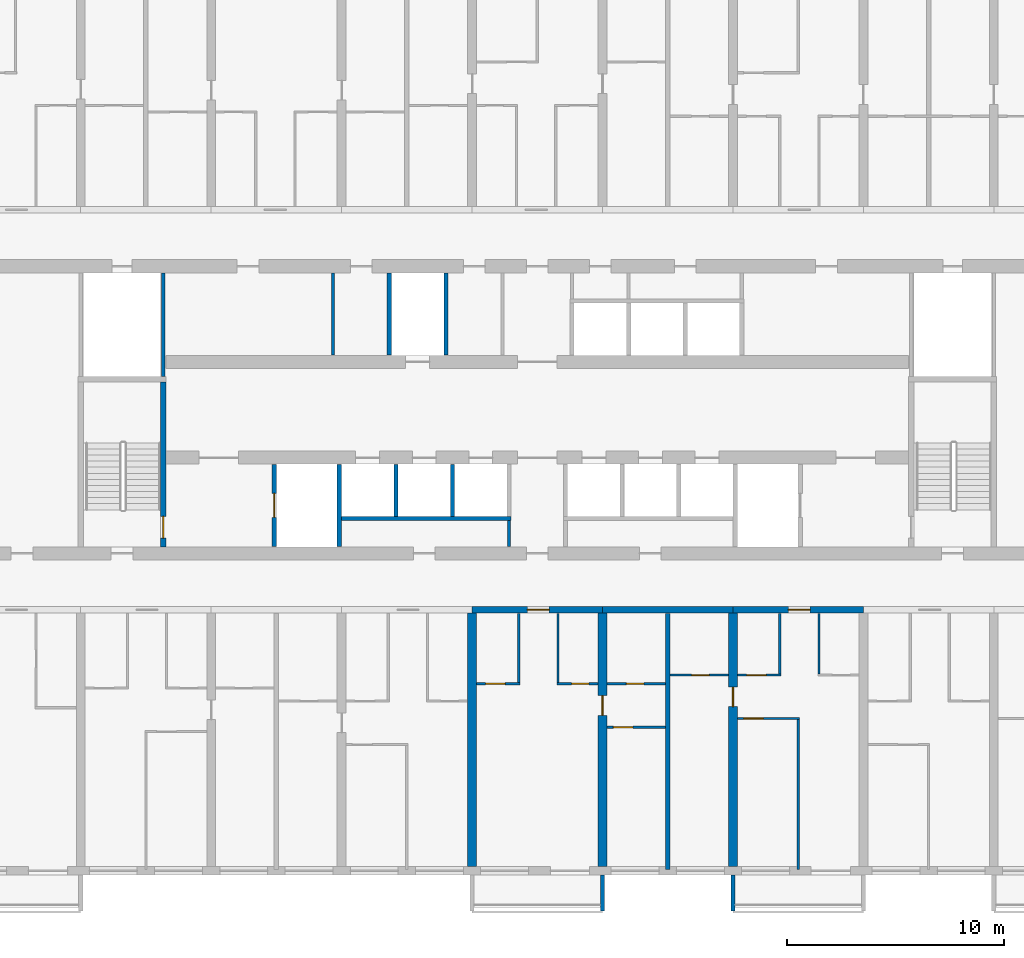
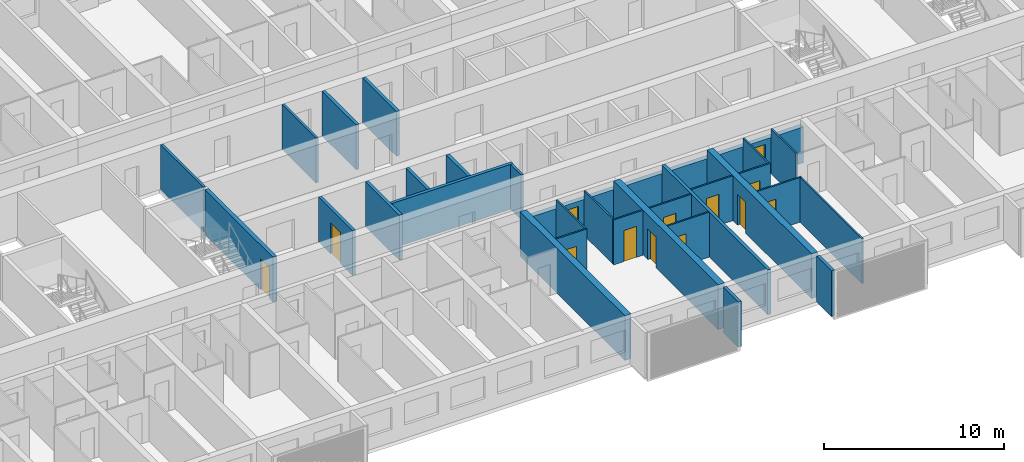
# One storey, part 6 of 40: 32 walls, 13 doors, 13 openings.
"""IFC4 building model written with IfcOpenShell, lengths in metres."""

from ifc_helpers import new_model, si_unit, direction, frame, frame_2d, origin, place, context, subcontext, project, spatial, polyline, rectangle, outline, extrude, source, transform, mapped, material, layer, layer_set, type_object, element, fill, save


model = new_model("IFC4")

# Units and contexts
model_context = context("Model", 3, precision=1e-05, world=origin(), true_north=direction((0.0, 1.0)))
body_context = subcontext(model_context, "Body", "Model", "MODEL_VIEW")
ifc_project = project(units=[si_unit("LENGTHUNIT", "METRE"), si_unit("AREAUNIT", "SQUARE_METRE"), si_unit("VOLUMEUNIT", "CUBIC_METRE"), si_unit("PLANEANGLEUNIT", "RADIAN"), si_unit("MASSUNIT", "GRAM", prefix="KILO")], contexts=[model_context])

# Site, building, storey
site_placement = place(None, origin())
site = spatial("IfcSite", under=ifc_project, at=site_placement, CompositionType="ELEMENT")
building_placement = place(site_placement, origin())
building = spatial("IfcBuilding", under=site, at=building_placement, Name="Poui Terraces", CompositionType="ELEMENT")
storey_placement = place(building_placement, frame((0.0, 0.0, 36.60009765625)))
storey = spatial("IfcBuildingStorey", under=building, at=storey_placement, Name="L09", CompositionType="ELEMENT", Elevation=36.60009765625)

# Wall
ifc_material_1 = material(Name="Fire-rated plasterboard wall")
ifc_layer_1 = layer(ifc_material_1, 0.14990234375)
ifc_layer_set_1 = layer_set([ifc_layer_1], Name="Fire-rated plasterboard wall")
wall_type_1 = type_object("IfcWallType", Name="CORRIDOR WALL 150", PredefinedType="PARTITIONING", material=ifc_layer_set_1)
wall_1_placement = place(storey_placement, frame((49.699951171875, 14.909912109375, 0.0), z_axis=(0.0, 0.0, 1.0), x_axis=(0.0, 1.0, 0.0)))
element("IfcWall", 1, at=wall_1_placement, inside=storey, type_object=wall_type_1, Name="CORRIDOR WALL 150", PredefinedType="PARTITIONING", context=body_context, shape_type="SweptSolid", body=[
    extrude(rectangle(XDim=1.190185546875, YDim=0.14990234375, at=frame_2d((0.59521484375, 0.0))), origin(), (0.0, 0.0, 1.0), 3.0498046875),
])

# Wall, opening, door
ifc_material_2 = material(Name="Concrete 80 MPa", Category="concrete")
ifc_layer_2 = layer(ifc_material_2, 0.300048828125)
ifc_layer_set_2 = layer_set([ifc_layer_2], Name="Concrete 80 MPa")
wall_type_2 = type_object("IfcWallType", Name="CORRIDOR WALL 300 80MPa", PredefinedType="SHEAR", material=ifc_layer_set_2)
wall_2_placement = place(storey_placement, frame((48.0, 12.0, 0.0), z_axis=(0.0, 0.0, 1.0), x_axis=(1.0, 0.0, 0.0)))
wall_2 = element("IfcWall", 2, at=wall_2_placement, inside=storey, type_object=wall_type_2, Name="CORRIDOR WALL LINE B BAY 9", PredefinedType="SHEAR", context=body_context, shape_type="SweptSolid", body=[
    extrude(rectangle(XDim=6.0, YDim=0.300048828125, at=frame_2d((3.0, 0.0))), origin(), (0.0, 0.0, 1.0), 2.449951171875),
])
opening_1_placement = place(wall_2_placement, frame((2.550048828125, 0.0, 0.0)))
opening_1 = element("IfcOpeningElement", 3, at=opening_1_placement, cuts=wall_2, Name="Opening FD30S", PredefinedType="OPENING", context=body_context, shape_type="SweptSolid", body=[
    extrude(rectangle(XDim=1.0, YDim=2.10009765625, at=frame_2d((0.5, 1.050048828125))), frame((0.0, 0.16015625, 0.0), z_axis=(0.0, -1.0, 0.0), x_axis=(1.0, 0.0, 0.0)), (0.0, 0.0, 1.0), 0.320068359375),
])
ifc_material_3 = material(Name="Steel fire door", Category="steel")
door_type_1 = type_object("IfcDoorType", Name="FLAT ENTRANCE DOOR 1000 X 2100", OperationType="NOTDEFINED", PredefinedType="DOOR", material=ifc_material_3)
door_1_placement = place(opening_1_placement, frame((1.0, 0.0, 0.0), z_axis=(0.0, 0.0, 1.0), x_axis=(-1.0, 0.0, 0.0)))
door_1 = element("IfcDoor", 4, at=door_1_placement, inside=storey, type_object=door_type_1, Name="FLAT ENTRANCE DOOR 121", OperationType="SINGLE_SWING_LEFT", OverallHeight=2.10009765625, OverallWidth=1.0, PredefinedType="DOOR", context=body_context, shape_type="SweptSolid", body=[
    extrude(rectangle(XDim=1.0, YDim=2.10009765625, at=frame_2d((0.5, 1.050048828125))), frame((0.0, 0.02490234375, 0.0), z_axis=(0.0, -1.0, 0.0), x_axis=(1.0, 0.0, 0.0)), (0.0, 0.0, 1.0), 0.050048828125),
])
fill(opening_1, door_1)

# Wall
wall_3_placement = place(storey_placement, frame((54.0, 12.0, 0.0), z_axis=(0.0, 0.0, 1.0), x_axis=(1.0, 0.0, 0.0)))
element("IfcWall", 5, at=wall_3_placement, inside=storey, type_object=wall_type_2, Name="CORRIDOR WALL LINE B BAY 10", PredefinedType="SHEAR", context=body_context, shape_type="SweptSolid", body=[
    extrude(rectangle(XDim=6.0, YDim=0.300048828125, at=frame_2d((3.0, 0.0))), origin(), (0.0, 0.0, 1.0), 2.449951171875),
])

# Wall, opening, door
wall_4_placement = place(storey_placement, frame((60.0, 12.0, 0.0), z_axis=(0.0, 0.0, 1.0), x_axis=(1.0, 0.0, 0.0)))
wall_4 = element("IfcWall", 6, at=wall_4_placement, inside=storey, type_object=wall_type_2, Name="CORRIDOR WALL LINE B BAY 11", PredefinedType="SHEAR", context=body_context, shape_type="SweptSolid", body=[
    extrude(rectangle(XDim=6.0, YDim=0.300048828125, at=frame_2d((3.0, 0.0))), origin(), (0.0, 0.0, 1.0), 2.449951171875),
])
opening_2_placement = place(wall_4_placement, frame((2.550048828125, 0.0, 0.0)))
opening_2 = element("IfcOpeningElement", 7, at=opening_2_placement, cuts=wall_4, Name="Opening FD30S", PredefinedType="OPENING", context=body_context, shape_type="SweptSolid", body=[
    extrude(rectangle(XDim=1.0, YDim=2.10009765625, at=frame_2d((0.5, 1.050048828125))), frame((0.0, 0.16015625, 0.0), z_axis=(0.0, -1.0, 0.0), x_axis=(1.0, 0.0, 0.0)), (0.0, 0.0, 1.0), 0.320068359375),
])
door_2_placement = place(opening_2_placement, frame((1.0, 0.0, 0.0), z_axis=(0.0, 0.0, 1.0), x_axis=(-1.0, 0.0, 0.0)))
door_2 = element("IfcDoor", 8, at=door_2_placement, inside=storey, type_object=door_type_1, Name="FLAT ENTRANCE DOOR 128", OperationType="SINGLE_SWING_LEFT", OverallHeight=2.10009765625, OverallWidth=1.0, PredefinedType="DOOR", context=body_context, shape_type="SweptSolid", body=[
    extrude(rectangle(XDim=1.0, YDim=2.10009765625, at=frame_2d((0.5, 1.050048828125))), frame((0.0, 0.02490234375, 0.0), z_axis=(0.0, -1.0, 0.0), x_axis=(1.0, 0.0, 0.0)), (0.0, 0.0, 1.0), 0.050048828125),
])
fill(opening_2, door_2)

# Wall
ifc_layer_3 = layer(ifc_material_2, 0.39990234375)
ifc_layer_set_3 = layer_set([ifc_layer_3], Name="Concrete 80 MPa")
wall_type_3 = type_object("IfcWallType", Name="CROSS WALL 400 80MPa", PredefinedType="SHEAR", material=ifc_layer_set_3)
wall_5_placement = place(storey_placement, frame((48.0, 0.199951171875, 0.0), z_axis=(0.0, 0.0, 1.0), x_axis=(0.0, 1.0, 0.0)))
element("IfcWall", 9, at=wall_5_placement, inside=storey, type_object=wall_type_3, Name="CROSS WALL LINE 9 SOUTH", PredefinedType="SHEAR", context=body_context, shape_type="SweptSolid", body=[
    extrude(rectangle(XDim=11.650146484375, YDim=0.39990234375, at=frame_2d((5.8251953125, 0.0))), origin(), (0.0, 0.0, 1.0), 3.0498046875),
])

# Wall, opening, door
wall_6_placement = place(storey_placement, frame((54.0, 0.199951171875, 0.0), z_axis=(0.0, 0.0, 1.0), x_axis=(0.0, 1.0, 0.0)))
wall_6 = element("IfcWall", 10, at=wall_6_placement, inside=storey, type_object=wall_type_3, Name="CROSS WALL LINE 10 SOUTH", PredefinedType="SHEAR", context=body_context, shape_type="SweptSolid", body=[
    extrude(rectangle(XDim=11.650146484375, YDim=0.39990234375, at=frame_2d((5.8251953125, 0.0))), origin(), (0.0, 0.0, 1.0), 3.0498046875),
])
opening_3_placement = place(wall_6_placement, frame((6.949951171875, 0.0, 0.0)))
opening_3 = element("IfcOpeningElement", 11, at=opening_3_placement, cuts=wall_6, Name="Opening D90", PredefinedType="OPENING", context=body_context, shape_type="SweptSolid", body=[
    extrude(rectangle(XDim=0.89990234375, YDim=2.10009765625, at=frame_2d((0.449951171875, 1.050048828125))), frame((0.0, 0.2099609375, 0.0), z_axis=(0.0, -1.0, 0.0), x_axis=(1.0, 0.0, 0.0)), (0.0, 0.0, 1.0), 0.419921875),
])
ifc_material_4 = material(Name="Solid core timber door", Category="wood")
door_type_2 = type_object("IfcDoorType", Name="INTERNAL DOOR 900 X 2100", OperationType="NOTDEFINED", PredefinedType="DOOR", material=ifc_material_4)
door_3_placement = place(opening_3_placement, origin())
door_3 = element("IfcDoor", 12, at=door_3_placement, inside=storey, type_object=door_type_2, Name="INTERNAL DOOR 123", OperationType="SINGLE_SWING_RIGHT", OverallHeight=2.10009765625, OverallWidth=0.89990234375, PredefinedType="DOOR", context=body_context, shape_type="SweptSolid", body=[
    extrude(rectangle(XDim=0.89990234375, YDim=2.10009765625, at=frame_2d((0.449951171875, 1.050048828125))), frame((0.0, 0.02490234375, 0.0), z_axis=(0.0, -1.0, 0.0), x_axis=(1.0, 0.0, 0.0)), (0.0, 0.0, 1.0), 0.050048828125),
])
fill(opening_3, door_3)

wall_7_placement = place(storey_placement, frame((60.0, 0.199951171875, 0.0), z_axis=(0.0, 0.0, 1.0), x_axis=(0.0, 1.0, 0.0)))
wall_7 = element("IfcWall", 13, at=wall_7_placement, inside=storey, type_object=wall_type_3, Name="CROSS WALL LINE 11 SOUTH", PredefinedType="SHEAR", context=body_context, shape_type="SweptSolid", body=[
    extrude(rectangle(XDim=11.650146484375, YDim=0.39990234375, at=frame_2d((5.8251953125, 0.0))), origin(), (0.0, 0.0, 1.0), 3.0498046875),
])
opening_4_placement = place(wall_7_placement, frame((7.35009765625, 0.0, 0.0)))
opening_4 = element("IfcOpeningElement", 14, at=opening_4_placement, cuts=wall_7, Name="Opening D90", PredefinedType="OPENING", context=body_context, shape_type="SweptSolid", body=[
    extrude(rectangle(XDim=0.89990234375, YDim=2.10009765625, at=frame_2d((0.449951171875, 1.050048828125))), frame((0.0, 0.2099609375, 0.0), z_axis=(0.0, -1.0, 0.0), x_axis=(1.0, 0.0, 0.0)), (0.0, 0.0, 1.0), 0.419921875),
])
door_4_placement = place(opening_4_placement, origin())
door_4 = element("IfcDoor", 15, at=door_4_placement, inside=storey, type_object=door_type_2, Name="INTERNAL DOOR 125", OperationType="SINGLE_SWING_RIGHT", OverallHeight=2.10009765625, OverallWidth=0.89990234375, PredefinedType="DOOR", context=body_context, shape_type="SweptSolid", body=[
    extrude(rectangle(XDim=0.89990234375, YDim=2.10009765625, at=frame_2d((0.449951171875, 1.050048828125))), frame((0.0, 0.02490234375, 0.0), z_axis=(0.0, -1.0, 0.0), x_axis=(1.0, 0.0, 0.0)), (0.0, 0.0, 1.0), 0.050048828125),
])
fill(opening_4, door_4)

ifc_material_5 = material(Name="Plasterboard partition")
ifc_layer_4 = layer(ifc_material_5, 0.10009765625)
ifc_layer_set_4 = layer_set([ifc_layer_4], Name="Plasterboard partition")
wall_type_4 = type_object("IfcWallType", Name="FLAT PARTITION 100", PredefinedType="PARTITIONING", material=ifc_layer_set_4)
wall_8_placement = place(storey_placement, frame((54.2099609375, 6.60009765625, 0.0), z_axis=(0.0, 0.0, 1.0), x_axis=(1.0, 0.0, 0.0)))
wall_8 = element("IfcWall", 16, at=wall_8_placement, inside=storey, type_object=wall_type_4, Name="FLAT PARTITION 100", PredefinedType="PARTITIONING", context=body_context, shape_type="SweptSolid", body=[
    extrude(rectangle(XDim=2.68994140625, YDim=0.10009765625, at=frame_2d((1.344970703125, 0.0))), origin(), (0.0, 0.0, 1.0), 3.0498046875),
])
opening_5_placement = place(wall_8_placement, frame((0.2900390625, 0.0, 0.0)))
opening_5 = element("IfcOpeningElement", 17, at=opening_5_placement, cuts=wall_8, Name="Opening D90", PredefinedType="OPENING", context=body_context, shape_type="SweptSolid", body=[
    extrude(rectangle(XDim=0.89990234375, YDim=2.10009765625, at=frame_2d((0.449951171875, 1.050048828125))), frame((0.0, 0.06005859375, 0.0), z_axis=(0.0, -1.0, 0.0), x_axis=(1.0, 0.0, 0.0)), (0.0, 0.0, 1.0), 0.1201171875),
])
door_5_placement = place(opening_5_placement, frame((0.89990234375, 0.0, 0.0), z_axis=(0.0, 0.0, 1.0), x_axis=(-1.0, 0.0, 0.0)))
door_5 = element("IfcDoor", 18, at=door_5_placement, inside=storey, type_object=door_type_2, Name="INTERNAL DOOR 118", OperationType="SINGLE_SWING_RIGHT", OverallHeight=2.10009765625, OverallWidth=0.89990234375, PredefinedType="DOOR", context=body_context, shape_type="SweptSolid", body=[
    extrude(rectangle(XDim=0.89990234375, YDim=2.10009765625, at=frame_2d((0.449951171875, 1.050048828125))), frame((0.0, 0.02490234375, 0.0), z_axis=(0.0, -1.0, 0.0), x_axis=(1.0, 0.0, 0.0)), (0.0, 0.0, 1.0), 0.050048828125),
])
fill(opening_5, door_5)

wall_9_placement = place(storey_placement, frame((60.2099609375, 7.0, 0.0), z_axis=(0.0, 0.0, 1.0), x_axis=(1.0, 0.0, 0.0)))
wall_9 = element("IfcWall", 19, at=wall_9_placement, inside=storey, type_object=wall_type_4, Name="FLAT PARTITION 100", PredefinedType="PARTITIONING", context=body_context, shape_type="SweptSolid", body=[
    extrude(rectangle(XDim=2.840087890625, YDim=0.10009765625, at=frame_2d((1.419921875, 0.0))), origin(), (0.0, 0.0, 1.0), 3.0498046875),
])
opening_6_placement = place(wall_9_placement, frame((0.2900390625, 0.0, 0.0)))
opening_6 = element("IfcOpeningElement", 20, at=opening_6_placement, cuts=wall_9, Name="Opening D90", PredefinedType="OPENING", context=body_context, shape_type="SweptSolid", body=[
    extrude(rectangle(XDim=0.89990234375, YDim=2.10009765625, at=frame_2d((0.449951171875, 1.050048828125))), frame((0.0, 0.06005859375, 0.0), z_axis=(0.0, -1.0, 0.0), x_axis=(1.0, 0.0, 0.0)), (0.0, 0.0, 1.0), 0.1201171875),
])
door_6_placement = place(opening_6_placement, origin())
door_6 = element("IfcDoor", 21, at=door_6_placement, inside=storey, type_object=door_type_2, Name="INTERNAL DOOR 126", OperationType="SINGLE_SWING_RIGHT", OverallHeight=2.10009765625, OverallWidth=0.89990234375, PredefinedType="DOOR", context=body_context, shape_type="SweptSolid", body=[
    extrude(rectangle(XDim=0.89990234375, YDim=2.10009765625, at=frame_2d((0.449951171875, 1.050048828125))), frame((0.0, 0.02490234375, 0.0), z_axis=(0.0, -1.0, 0.0), x_axis=(1.0, 0.0, 0.0)), (0.0, 0.0, 1.0), 0.050048828125),
])
fill(opening_6, door_6)

wall_10_placement = place(storey_placement, frame((48.2099609375, 8.60009765625, 0.0), z_axis=(0.0, 0.0, 1.0), x_axis=(1.0, 0.0, 0.0)))
wall_10 = element("IfcWall", 22, at=wall_10_placement, inside=storey, type_object=wall_type_4, Name="FLAT PARTITION 100", PredefinedType="PARTITIONING", context=body_context, shape_type="SweptSolid", body=[
    extrude(rectangle(XDim=1.989990234375, YDim=0.10009765625, at=frame_2d((0.9951171875, 0.0))), origin(), (0.0, 0.0, 1.0), 3.0498046875),
])
opening_7_placement = place(wall_10_placement, frame((0.4150390625, 0.0, 0.0)))
opening_7 = element("IfcOpeningElement", 23, at=opening_7_placement, cuts=wall_10, Name="Opening D90", PredefinedType="OPENING", context=body_context, shape_type="SweptSolid", body=[
    extrude(rectangle(XDim=0.89990234375, YDim=2.10009765625, at=frame_2d((0.449951171875, 1.050048828125))), frame((0.0, 0.06005859375, 0.0), z_axis=(0.0, -1.0, 0.0), x_axis=(1.0, 0.0, 0.0)), (0.0, 0.0, 1.0), 0.1201171875),
])
door_7_placement = place(opening_7_placement, origin())
door_7 = element("IfcDoor", 24, at=door_7_placement, inside=storey, type_object=door_type_2, Name="INTERNAL DOOR 120", OperationType="SINGLE_SWING_LEFT", OverallHeight=2.10009765625, OverallWidth=0.89990234375, PredefinedType="DOOR", context=body_context, shape_type="SweptSolid", body=[
    extrude(rectangle(XDim=0.89990234375, YDim=2.10009765625, at=frame_2d((0.449951171875, 1.050048828125))), frame((0.0, 0.02490234375, 0.0), z_axis=(0.0, -1.0, 0.0), x_axis=(1.0, 0.0, 0.0)), (0.0, 0.0, 1.0), 0.050048828125),
])
fill(opening_7, door_7)

wall_11_placement = place(storey_placement, frame((51.89990234375, 8.60009765625, 0.0), z_axis=(0.0, 0.0, 1.0), x_axis=(1.0, 0.0, 0.0)))
wall_11 = element("IfcWall", 25, at=wall_11_placement, inside=storey, type_object=wall_type_4, Name="FLAT PARTITION 100", PredefinedType="PARTITIONING", context=body_context, shape_type="SweptSolid", body=[
    extrude(rectangle(XDim=1.89013671875, YDim=0.10009765625, at=frame_2d((0.945068359375, 0.0))), origin(), (0.0, 0.0, 1.0), 3.0498046875),
])
opening_8_placement = place(wall_11_placement, frame((0.675048828125, 0.0, 0.0)))
opening_8 = element("IfcOpeningElement", 26, at=opening_8_placement, cuts=wall_11, Name="Opening D80", PredefinedType="OPENING", context=body_context, shape_type="SweptSolid", body=[
    extrude(rectangle(XDim=0.800048828125, YDim=2.10009765625, at=frame_2d((0.39990234375, 1.050048828125))), frame((0.0, 0.06005859375, 0.0), z_axis=(0.0, -1.0, 0.0), x_axis=(1.0, 0.0, 0.0)), (0.0, 0.0, 1.0), 0.1201171875),
])
door_type_3 = type_object("IfcDoorType", Name="BATHROOM, LAUNDRY AND STORE DOOR 800 X 2100", OperationType="NOTDEFINED", PredefinedType="DOOR", material=ifc_material_4)
door_8_placement = place(opening_8_placement, origin())
door_8 = element("IfcDoor", 27, at=door_8_placement, inside=storey, type_object=door_type_3, Name="BATHROOM, LAUNDRY AND STORE DOOR 122", OperationType="SINGLE_SWING_RIGHT", OverallHeight=2.10009765625, OverallWidth=0.800048828125, PredefinedType="DOOR", context=body_context, shape_type="SweptSolid", body=[
    extrude(rectangle(XDim=0.800048828125, YDim=2.10009765625, at=frame_2d((0.39990234375, 1.050048828125))), frame((0.0, 0.02490234375, 0.0), z_axis=(0.0, -1.0, 0.0), x_axis=(1.0, 0.0, 0.0)), (0.0, 0.0, 1.0), 0.050048828125),
])
fill(opening_8, door_8)

wall_12_placement = place(storey_placement, frame((54.2099609375, 8.60009765625, 0.0), z_axis=(0.0, 0.0, 1.0), x_axis=(1.0, 0.0, 0.0)))
wall_12 = element("IfcWall", 28, at=wall_12_placement, inside=storey, type_object=wall_type_4, Name="FLAT PARTITION 100", PredefinedType="PARTITIONING", context=body_context, shape_type="SweptSolid", body=[
    extrude(rectangle(XDim=2.68994140625, YDim=0.10009765625, at=frame_2d((1.344970703125, 0.0))), origin(), (0.0, 0.0, 1.0), 3.0498046875),
])
opening_9_placement = place(wall_12_placement, frame((0.889892578125, 0.0, 0.0)))
opening_9 = element("IfcOpeningElement", 29, at=opening_9_placement, cuts=wall_12, Name="Opening D80", PredefinedType="OPENING", context=body_context, shape_type="SweptSolid", body=[
    extrude(rectangle(XDim=0.800048828125, YDim=2.10009765625, at=frame_2d((0.39990234375, 1.050048828125))), frame((0.0, 0.06005859375, 0.0), z_axis=(0.0, -1.0, 0.0), x_axis=(1.0, 0.0, 0.0)), (0.0, 0.0, 1.0), 0.1201171875),
])
door_9_placement = place(opening_9_placement, origin())
door_9 = element("IfcDoor", 30, at=door_9_placement, inside=storey, type_object=door_type_3, Name="BATHROOM, LAUNDRY AND STORE DOOR 119", OperationType="SINGLE_SWING_RIGHT", OverallHeight=2.10009765625, OverallWidth=0.800048828125, PredefinedType="DOOR", context=body_context, shape_type="SweptSolid", body=[
    extrude(rectangle(XDim=0.800048828125, YDim=2.10009765625, at=frame_2d((0.39990234375, 1.050048828125))), frame((0.0, 0.02490234375, 0.0), z_axis=(0.0, -1.0, 0.0), x_axis=(1.0, 0.0, 0.0)), (0.0, 0.0, 1.0), 0.050048828125),
])
fill(opening_9, door_9)

wall_13_placement = place(storey_placement, frame((57.10009765625, 9.0, 0.0), z_axis=(0.0, 0.0, 1.0), x_axis=(1.0, 0.0, 0.0)))
wall_13 = element("IfcWall", 31, at=wall_13_placement, inside=storey, type_object=wall_type_4, Name="FLAT PARTITION 100", PredefinedType="PARTITIONING", context=body_context, shape_type="SweptSolid", body=[
    extrude(rectangle(XDim=2.68994140625, YDim=0.10009765625, at=frame_2d((1.344970703125, 0.0))), origin(), (0.0, 0.0, 1.0), 3.0498046875),
])
opening_10_placement = place(wall_13_placement, frame((1.0, 0.0, 0.0)))
opening_10 = element("IfcOpeningElement", 32, at=opening_10_placement, cuts=wall_13, Name="Opening D80", PredefinedType="OPENING", context=body_context, shape_type="SweptSolid", body=[
    extrude(rectangle(XDim=0.800048828125, YDim=2.10009765625, at=frame_2d((0.39990234375, 1.050048828125))), frame((0.0, 0.06005859375, 0.0), z_axis=(0.0, -1.0, 0.0), x_axis=(1.0, 0.0, 0.0)), (0.0, 0.0, 1.0), 0.1201171875),
])
door_10_placement = place(opening_10_placement, origin())
door_10 = element("IfcDoor", 33, at=door_10_placement, inside=storey, type_object=door_type_3, Name="BATHROOM, LAUNDRY AND STORE DOOR 124", OperationType="SINGLE_SWING_LEFT", OverallHeight=2.10009765625, OverallWidth=0.800048828125, PredefinedType="DOOR", context=body_context, shape_type="SweptSolid", body=[
    extrude(rectangle(XDim=0.800048828125, YDim=2.10009765625, at=frame_2d((0.39990234375, 1.050048828125))), frame((0.0, 0.02490234375, 0.0), z_axis=(0.0, -1.0, 0.0), x_axis=(1.0, 0.0, 0.0)), (0.0, 0.0, 1.0), 0.050048828125),
])
fill(opening_10, door_10)

wall_14_placement = place(storey_placement, frame((60.2099609375, 9.0, 0.0), z_axis=(0.0, 0.0, 1.0), x_axis=(1.0, 0.0, 0.0)))
wall_14 = element("IfcWall", 34, at=wall_14_placement, inside=storey, type_object=wall_type_4, Name="FLAT PARTITION 100", PredefinedType="PARTITIONING", context=body_context, shape_type="SweptSolid", body=[
    extrude(rectangle(XDim=1.989990234375, YDim=0.10009765625, at=frame_2d((0.9951171875, 0.0))), origin(), (0.0, 0.0, 1.0), 3.0498046875),
])
opening_11_placement = place(wall_14_placement, frame((0.4150390625, 0.0, 0.0)))
opening_11 = element("IfcOpeningElement", 35, at=opening_11_placement, cuts=wall_14, Name="Opening D90", PredefinedType="OPENING", context=body_context, shape_type="SweptSolid", body=[
    extrude(rectangle(XDim=0.89990234375, YDim=2.10009765625, at=frame_2d((0.449951171875, 1.050048828125))), frame((0.0, 0.06005859375, 0.0), z_axis=(0.0, -1.0, 0.0), x_axis=(1.0, 0.0, 0.0)), (0.0, 0.0, 1.0), 0.1201171875),
])
door_11_placement = place(opening_11_placement, origin())
door_11 = element("IfcDoor", 36, at=door_11_placement, inside=storey, type_object=door_type_2, Name="INTERNAL DOOR 127", OperationType="SINGLE_SWING_LEFT", OverallHeight=2.10009765625, OverallWidth=0.89990234375, PredefinedType="DOOR", context=body_context, shape_type="SweptSolid", body=[
    extrude(rectangle(XDim=0.89990234375, YDim=2.10009765625, at=frame_2d((0.449951171875, 1.050048828125))), frame((0.0, 0.02490234375, 0.0), z_axis=(0.0, -1.0, 0.0), x_axis=(1.0, 0.0, 0.0)), (0.0, 0.0, 1.0), 0.050048828125),
])
fill(opening_11, door_11)

# Walls
for number, where, z_axis, x_axis, name in (
    (37, (50.14990234375, 8.64990234375, 0.0), (0.0, 0.0, 1.0), (0.0, 1.0, 0.0), "FLAT PARTITION 100"),
    (38, (51.949951171875, 8.64990234375, 0.0), (0.0, 0.0, 1.0), (0.0, 1.0, 0.0), "FLAT PARTITION 100"),
):
    element("IfcWall", number, at=place(storey_placement, frame(where, z_axis=z_axis, x_axis=x_axis)), inside=storey, type_object=wall_type_4, Name=name, PredefinedType="PARTITIONING", context=body_context, shape_type="SweptSolid", body=[
        extrude(rectangle(XDim=3.190185546875, YDim=0.10009765625, at=frame_2d((1.59521484375, 0.0))), origin(), (0.0, 0.0, 1.0), 3.0498046875),
    ])
wall_15_placement = place(storey_placement, frame((62.14990234375, 9.050048828125, 0.0), z_axis=(0.0, 0.0, 1.0), x_axis=(0.0, 1.0, 0.0)))
element("IfcWall", 39, at=wall_15_placement, inside=storey, type_object=wall_type_4, Name="FLAT PARTITION 100", PredefinedType="PARTITIONING", context=body_context, shape_type="SweptSolid", body=[
    extrude(rectangle(XDim=2.7900390625, YDim=0.10009765625, at=frame_2d((1.39501953125, 0.0))), origin(), (0.0, 0.0, 1.0), 3.0498046875),
])
wall_16_placement = place(storey_placement, frame((63.0, 0.06005859375, 0.0), z_axis=(0.0, 0.0, 1.0), x_axis=(0.0, 1.0, 0.0)))
element("IfcWall", 40, at=wall_16_placement, inside=storey, type_object=wall_type_4, Name="FLAT PARTITION 100", PredefinedType="PARTITIONING", context=body_context, shape_type="SweptSolid", body=[
    extrude(rectangle(XDim=6.889892578125, YDim=0.10009765625, at=frame_2d((3.44482421875, 0.0))), origin(), (0.0, 0.0, 1.0), 3.0498046875),
])
wall_17_placement = place(storey_placement, frame((63.949951171875, 9.050048828125, 0.0), z_axis=(0.0, 0.0, 1.0), x_axis=(0.0, 1.0, 0.0)))
element("IfcWall", 41, at=wall_17_placement, inside=storey, type_object=wall_type_4, Name="FLAT PARTITION 100", PredefinedType="PARTITIONING", context=body_context, shape_type="SweptSolid", body=[
    extrude(rectangle(XDim=2.7900390625, YDim=0.10009765625, at=frame_2d((1.39501953125, 0.0))), origin(), (0.0, 0.0, 1.0), 3.0498046875),
])
ifc_material_6 = material(Name="Fire-rated masonry wall", Category="masonry")
ifc_layer_5 = layer(ifc_material_6, 0.199951171875)
ifc_layer_set_5 = layer_set([ifc_layer_5], Name="Fire-rated masonry wall")
wall_type_5 = type_object("IfcWallType", Name="FLAT PARTY WALL 200", PredefinedType="PARTITIONING", material=ifc_layer_set_5)
wall_18_placement = place(storey_placement, frame((57.0, 0.06005859375, 0.0), z_axis=(0.0, 0.0, 1.0), x_axis=(0.0, 1.0, 0.0)))
element("IfcWall", 42, at=wall_18_placement, inside=storey, type_object=wall_type_5, Name="FLAT PARTY WALL 200", PredefinedType="PARTITIONING", context=body_context, shape_type="SweptSolid", body=[
    extrude(rectangle(XDim=11.780029296875, YDim=0.199951171875, at=frame_2d((5.89013671875, 0.0))), origin(), (0.0, 0.0, 1.0), 3.0498046875),
])
ifc_layer_6 = layer(ifc_material_5, 0.14990234375)
ifc_layer_set_6 = layer_set([ifc_layer_6], Name="Plasterboard partition")
wall_type_6 = type_object("IfcWallType", Name="PARTITION WALL 150", PredefinedType="PARTITIONING", material=ifc_layer_set_6)
wall_19_placement = place(storey_placement, frame((41.60009765625, 23.7099609375, 0.0), z_axis=(0.0, 0.0, 1.0), x_axis=(0.0, 1.0, 0.0)))
element("IfcWall", 43, at=wall_19_placement, inside=storey, type_object=wall_type_6, Name="PARTITION WALL 150", PredefinedType="PARTITIONING", context=body_context, shape_type="SweptSolid", body=[
    extrude(rectangle(XDim=3.780029296875, YDim=0.14990234375, at=frame_2d((1.89013671875, 0.0))), origin(), (0.0, 0.0, 1.0), 3.0498046875),
])
ifc_material_7 = material(Name="Fire-rated plasterboard riser wall")
ifc_layer_7 = layer(ifc_material_7, 0.14990234375)
ifc_layer_set_7 = layer_set([ifc_layer_7], Name="Fire-rated plasterboard riser wall")
wall_type_7 = type_object("IfcWallType", Name="RISER WALL 150", PredefinedType="PARTITIONING", material=ifc_layer_set_7)
wall_20_placement = place(storey_placement, frame((33.800048828125, 22.735107421875, 0.0), z_axis=(0.0, 0.0, 1.0), x_axis=(0.0, 1.0, 0.0)))
element("IfcWall", 44, at=wall_20_placement, inside=storey, type_object=wall_type_7, Name="RISER WALL 150", PredefinedType="PARTITIONING", context=body_context, shape_type="SweptSolid", body=[
    extrude(rectangle(XDim=4.7548828125, YDim=0.14990234375, at=frame_2d((2.37744140625, 0.0))), origin(), (0.0, 0.0, 1.0), 3.0498046875),
])
ifc_material_8 = material(Name="Fire-rated masonry shaft wall", Category="masonry")
ifc_layer_8 = layer(ifc_material_8, 0.199951171875)
ifc_layer_set_8 = layer_set([ifc_layer_8], Name="Fire-rated masonry shaft wall")
wall_type_8 = type_object("IfcWallType", Name="SHAFT WALL 200", PredefinedType="PARTITIONING", material=ifc_layer_set_8)
wall_21_placement = place(storey_placement, frame((42.0, 16.199951171875, 0.0), z_axis=(0.0, 0.0, 1.0), x_axis=(1.0, 0.0, 0.0)))
element("IfcWall", 45, at=wall_21_placement, inside=storey, type_object=wall_type_8, Name="SHAFT WALL 200", PredefinedType="PARTITIONING", context=body_context, shape_type="SweptSolid", body=[
    extrude(rectangle(XDim=7.800048828125, YDim=0.199951171875, at=frame_2d((3.89990234375, 0.0))), origin(), (0.0, 0.0, 1.0), 3.0498046875),
])

# Wall, opening, door
wall_22_placement = place(storey_placement, frame((38.89990234375, 14.909912109375, 0.0), z_axis=(0.0, 0.0, 1.0), x_axis=(0.0, 1.0, 0.0)))
wall_22 = element("IfcWall", 46, at=wall_22_placement, inside=storey, type_object=wall_type_8, Name="SHAFT WALL 200", PredefinedType="PARTITIONING", context=body_context, shape_type="SweptSolid", body=[
    extrude(rectangle(XDim=3.780029296875, YDim=0.199951171875, at=frame_2d((1.89013671875, 0.0))), origin(), (0.0, 0.0, 1.0), 3.0498046875),
])
opening_12_placement = place(wall_22_placement, frame((1.340087890625, 0.0, 0.0)))
opening_12 = element("IfcOpeningElement", 47, at=opening_12_placement, cuts=wall_22, Name="Opening LD", PredefinedType="OPENING", context=body_context, shape_type="SweptSolid", body=[
    extrude(rectangle(XDim=1.10009765625, YDim=2.10009765625, at=frame_2d((0.550048828125, 1.050048828125))), frame((0.0, 0.10986328125, 0.0), z_axis=(0.0, -1.0, 0.0), x_axis=(1.0, 0.0, 0.0)), (0.0, 0.0, 1.0), 0.219970703125),
])
ifc_material_9 = material(Name="Stainless steel sliding door", Category="steel")
door_type_4 = type_object("IfcDoorType", Name="LIFT LANDING DOOR 1100 X 2100", OperationType="DOUBLE_DOOR_SLIDING", PredefinedType="DOOR", material=ifc_material_9)
door_12_placement = place(opening_12_placement, origin())
door_12 = element("IfcDoor", 48, at=door_12_placement, inside=storey, type_object=door_type_4, Name="LANDING DOOR", OperationType="DOUBLE_DOOR_SLIDING", OverallHeight=2.10009765625, OverallWidth=1.10009765625, PredefinedType="DOOR", context=body_context, shape_type="SweptSolid", body=[
    extrude(rectangle(XDim=1.10009765625, YDim=2.10009765625, at=frame_2d((0.550048828125, 1.050048828125))), frame((0.0, 0.02490234375, 0.0), z_axis=(0.0, -1.0, 0.0), x_axis=(1.0, 0.0, 0.0)), (0.0, 0.0, 1.0), 0.050048828125),
])
fill(opening_12, door_12)

# Walls
for number, where, z_axis, x_axis, name in (
    (49, (41.89990234375, 14.909912109375, 0.0), (0.0, 0.0, 1.0), (0.0, 1.0, 0.0), "SHAFT WALL 200"),
    (50, (44.199951171875, 23.7099609375, 0.0), (0.0, 0.0, 1.0), (0.0, 1.0, 0.0), "SHAFT WALL 200"),
):
    element("IfcWall", number, at=place(storey_placement, frame(where, z_axis=z_axis, x_axis=x_axis)), inside=storey, type_object=wall_type_8, Name=name, PredefinedType="PARTITIONING", context=body_context, shape_type="SweptSolid", body=[
        extrude(rectangle(XDim=3.780029296875, YDim=0.199951171875, at=frame_2d((1.89013671875, 0.0))), origin(), (0.0, 0.0, 1.0), 3.0498046875),
    ])
wall_23_placement = place(storey_placement, frame((44.5, 16.300048828125, 0.0), z_axis=(0.0, 0.0, 1.0), x_axis=(0.0, 1.0, 0.0)))
element("IfcWall", 51, at=wall_23_placement, inside=storey, type_object=wall_type_8, Name="SHAFT WALL 200", PredefinedType="PARTITIONING", context=body_context, shape_type="SweptSolid", body=[
    extrude(rectangle(XDim=2.389892578125, YDim=0.199951171875, at=frame_2d((1.19482421875, 0.0))), origin(), (0.0, 0.0, 1.0), 3.0498046875),
])
wall_24_placement = place(storey_placement, frame((46.800048828125, 23.7099609375, 0.0), z_axis=(0.0, 0.0, 1.0), x_axis=(0.0, 1.0, 0.0)))
element("IfcWall", 52, at=wall_24_placement, inside=storey, type_object=wall_type_8, Name="SHAFT WALL 200", PredefinedType="PARTITIONING", context=body_context, shape_type="SweptSolid", body=[
    extrude(rectangle(XDim=3.780029296875, YDim=0.199951171875, at=frame_2d((1.89013671875, 0.0))), origin(), (0.0, 0.0, 1.0), 3.0498046875),
])
wall_25_placement = place(storey_placement, frame((47.10009765625, 16.300048828125, 0.0), z_axis=(0.0, 0.0, 1.0), x_axis=(0.0, 1.0, 0.0)))
element("IfcWall", 53, at=wall_25_placement, inside=storey, type_object=wall_type_8, Name="SHAFT WALL 200", PredefinedType="PARTITIONING", context=body_context, shape_type="SweptSolid", body=[
    extrude(rectangle(XDim=2.389892578125, YDim=0.199951171875, at=frame_2d((1.19482421875, 0.0))), origin(), (0.0, 0.0, 1.0), 3.0498046875),
])

# Wall, opening, door
ifc_layer_9 = layer(ifc_material_2, 0.25)
ifc_layer_set_9 = layer_set([ifc_layer_9], Name="Concrete 80 MPa")
wall_type_9 = type_object("IfcWallType", Name="STAIR CORE WALL 250 80 MPA", PredefinedType="SOLIDWALL", material=ifc_layer_set_9)
wall_26_placement = place(storey_placement, frame((33.800048828125, 14.89990234375, 0.0), z_axis=(0.0, 0.0, 1.0), x_axis=(0.0, 1.0, 0.0)))
wall_26 = element("IfcWall", 54, at=wall_26_placement, inside=storey, type_object=wall_type_9, Name="STAIR CORE WALL", PredefinedType="SOLIDWALL", context=body_context, shape_type="SweptSolid", body=[
    extrude(rectangle(XDim=7.5751953125, YDim=0.25, at=frame_2d((3.78759765625, 0.0))), origin(), (0.0, 0.0, 1.0), 3.0498046875),
])
opening_13_placement = place(wall_26_placement, frame((0.39990234375, 0.0, 0.0)))
opening_13 = element("IfcOpeningElement", 55, at=opening_13_placement, cuts=wall_26, Name="Opening FD60S", PredefinedType="OPENING", context=body_context, shape_type="SweptSolid", body=[
    extrude(rectangle(XDim=1.0, YDim=2.10009765625, at=frame_2d((0.5, 1.050048828125))), frame((0.0, 0.135009765625, 0.0), z_axis=(0.0, -1.0, 0.0), x_axis=(1.0, 0.0, 0.0)), (0.0, 0.0, 1.0), 0.27001953125),
])
door_type_5 = type_object("IfcDoorType", Name="STAIR DOOR 1000 X 2100", OperationType="NOTDEFINED", PredefinedType="DOOR", material=ifc_material_3)
door_13_placement = place(opening_13_placement, origin())
door_13 = element("IfcDoor", 56, at=door_13_placement, inside=storey, type_object=door_type_5, Name="STAIR DOOR 151", OperationType="SINGLE_SWING_LEFT", OverallHeight=2.10009765625, OverallWidth=1.0, PredefinedType="DOOR", context=body_context, shape_type="SweptSolid", body=[
    extrude(rectangle(XDim=1.0, YDim=2.10009765625, at=frame_2d((0.5, 1.050048828125))), frame((0.0, 0.02490234375, 0.0), z_axis=(0.0, -1.0, 0.0), x_axis=(1.0, 0.0, 0.0)), (0.0, 0.0, 1.0), 0.050048828125),
])
fill(opening_13, door_13)

# Walls
ifc_material_10 = material(Name="Precast concrete 40 MPa", Category="concrete")
ifc_layer_10 = layer(ifc_material_10, 0.199951171875)
ifc_layer_set_10 = layer_set([ifc_layer_10], Name="Precast concrete 40 MPa")
wall_type_10 = type_object("IfcWallType", Name="REAR FIN 200", PredefinedType="STANDARD", material=ifc_layer_set_10)
shared_shape = source(origin(), body_context, "Body", "SweptSolid", [
    extrude(outline(polyline([(0.0, 0.0), (0.2001953125, 0.0), (0.2001953125, 1.650146484375), (0.0, 1.650146484375), (0.0, 0.0)])), origin(), (0.0, 0.0, 1.0), 3.099853515625),
])
for number, where, name in (
    (57, (53.89990234375, -1.85009765625, 0.0), "REAR FIN"),
    (58, (59.89990234375, -1.85009765625, 0.0), "REAR FIN"),
):
    element("IfcWall", number, at=place(storey_placement, frame(where)), inside=storey, type_object=wall_type_10, Name=name, PredefinedType="STANDARD", context=body_context, shape_type="MappedRepresentation", body=[
        mapped(shared_shape, transform((0.0, 0.0, 0.0))),
    ])

save(model, "model.ifc")
